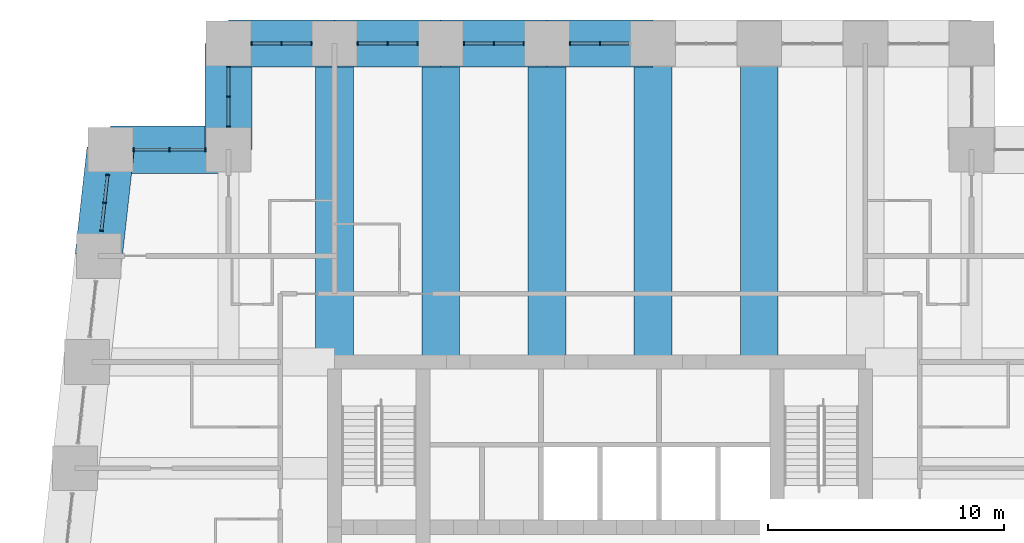
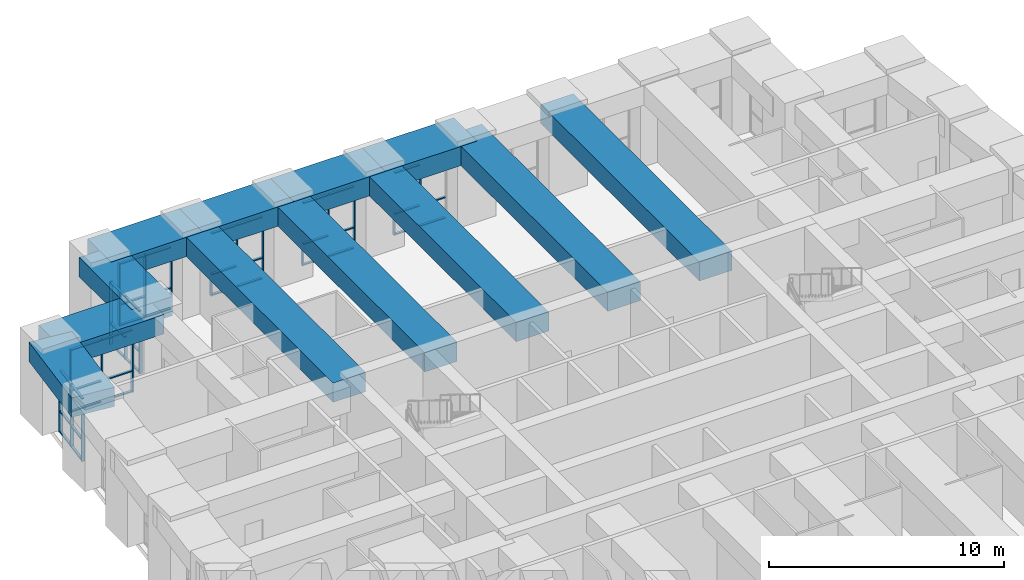
# One storey, part 7 of 16: 61 members, 12 beams, 7 elements without a shape of their own.
"""IFC4 building model written with IfcOpenShell, lengths in metres."""

from ifc_helpers import new_model, si_unit, direction, frame, origin, origin_2d, place, context, subcontext, project, spatial, rectangle, extrude, material, material_profile, profile_set, type_object, element, aggregate, save


model = new_model("IFC4")

# Units and contexts
model_context = context("Model", 3, precision=1e-05, world=origin(), true_north=direction((0.0, 1.0)))
body_context = subcontext(model_context, "Body", "Model", "MODEL_VIEW")
ifc_project = project(units=[si_unit("LENGTHUNIT", "METRE"), si_unit("AREAUNIT", "SQUARE_METRE"), si_unit("VOLUMEUNIT", "CUBIC_METRE"), si_unit("PLANEANGLEUNIT", "RADIAN"), si_unit("MASSUNIT", "GRAM", prefix="KILO")], contexts=[model_context])

# Site, building, storey
site_placement = place(None, origin())
site = spatial("IfcSite", under=ifc_project, at=site_placement, CompositionType="ELEMENT")
building_placement = place(site_placement, origin())
building = spatial("IfcBuilding", under=site, at=building_placement, Name="Kilele Tower Hotel", CompositionType="ELEMENT")
storey_placement = place(building_placement, frame((0.0, 0.0, 157.89990234375)))
storey = spatial("IfcBuildingStorey", under=building, at=storey_placement, Name="L40", CompositionType="ELEMENT", Elevation=157.89990234375)

# Beams
ifc_material_1 = material(Name="Concrete C60/75", Category="concrete")
ifc_material_profile_1 = material_profile(ifc_material_1, rectangle(XDim=1.60009765625, YDim=1.0, at=origin_2d()))
ifc_profile_set_1 = profile_set([ifc_material_profile_1], Name="Concrete C60/75")
beam_type_1 = type_object("IfcBeamType", Name="Beam RC 1600x1000 C60/75", PredefinedType="BEAM", material=ifc_profile_set_1)
for number, where, z_axis, x_axis, name in (
    (1, (31.5, 40.5, 3.75), (0.0, -1.0, 0.0), (1.0, 0.0, 0.0), "Beam BC1 level L41"),
    (2, (27.0, 40.5, 3.75), (0.0, -1.0, 0.0), (1.0, 0.0, 0.0), "Beam BC1 level L41"),
    (3, (22.5, 40.5, 3.75), (0.0, -1.0, 0.0), (1.0, 0.0, 0.0), "Beam BC1 level L41"),
    (4, (18.0, 40.5, 3.75), (0.0, -1.0, 0.0), (1.0, 0.0, 0.0), "Beam BC1 level L41"),
    (5, (13.5, 40.5, 3.75), (0.0, -1.0, 0.0), (1.0, 0.0, 0.0), "Beam BC1 level L41"),
):
    element("IfcBeam", number, at=place(storey_placement, frame(where, z_axis=z_axis, x_axis=x_axis)), inside=storey, type_object=beam_type_1, Name=name, PredefinedType="BEAM", context=body_context, shape_type="SweptSolid", body=[
        extrude(rectangle(XDim=1.60009765625, YDim=1.0, at=origin_2d()), origin(), (0.0, 0.0, 1.0), 13.5),
    ])

# Curtain wall, members
ifc_material_2 = material(Name="Aluminium curtain wall, clear double glazing", Category="aluminium")
curtain_wall_type = type_object("IfcCurtainWallType", Name="Club lounge curtain wall CW-4", PredefinedType="NOTDEFINED", material=ifc_material_2)
curtain_wall_1_placement = place(storey_placement, origin())
curtain_wall_1 = element("IfcCurtainWall", 6, at=curtain_wall_1_placement, inside=storey, type_object=curtain_wall_type, Name="Club lounge curtain wall CW-4 L40", PredefinedType="NOTDEFINED")
ifc_material_3 = material(Name="Aluminium EN AW-6063 T6", Category="aluminium")
ifc_material_profile_2 = material_profile(ifc_material_3, rectangle(XDim=0.159912109375, YDim=0.06005859375, at=origin_2d()))
ifc_profile_set_2 = profile_set([ifc_material_profile_2], Name="Aluminium EN AW-6063 T6")
member_type_1 = type_object("IfcMemberType", Name="Mullion 60x160 CW-4", PredefinedType="MULLION", material=ifc_profile_set_2)
member_1_placement = place(storey_placement, frame((24.75, 40.5, 0.0), z_axis=(0.0, 0.0, 1.0), x_axis=(0.0, -1.0, 0.0)))
member_1 = element("IfcMember", 7, at=member_1_placement, type_object=member_type_1, Name="CW-4 mullion 2", PredefinedType="MULLION", context=body_context, shape_type="SweptSolid", body=[
    extrude(rectangle(XDim=0.159912109375, YDim=0.06005859375, at=origin_2d()), origin(), (0.0, 0.0, 1.0), 3.25),
])
member_2_placement = place(storey_placement, frame((23.47998046875, 40.5, 0.0), z_axis=(0.0, 0.0, 1.0), x_axis=(0.0, -1.0, 0.0)))
member_2 = element("IfcMember", 8, at=member_2_placement, type_object=member_type_1, Name="CW-4 mullion 3", PredefinedType="MULLION", context=body_context, shape_type="SweptSolid", body=[
    extrude(rectangle(XDim=0.159912109375, YDim=0.06005859375, at=origin_2d()), origin(), (0.0, 0.0, 1.0), 3.25),
])

curtain_wall_2_placement = place(storey_placement, origin())
curtain_wall_2 = element("IfcCurtainWall", 9, at=curtain_wall_2_placement, inside=storey, type_object=curtain_wall_type, Name="Club lounge curtain wall CW-4 L40", PredefinedType="NOTDEFINED")
member_3_placement = place(storey_placement, frame((21.52001953125, 40.5, 0.0), z_axis=(0.0, 0.0, 1.0), x_axis=(0.0, -1.0, 0.0)))
member_3 = element("IfcMember", 10, at=member_3_placement, type_object=member_type_1, Name="CW-4 mullion 1", PredefinedType="MULLION", context=body_context, shape_type="SweptSolid", body=[
    extrude(rectangle(XDim=0.159912109375, YDim=0.06005859375, at=origin_2d()), origin(), (0.0, 0.0, 1.0), 3.25),
])
member_4_placement = place(storey_placement, frame((20.25, 40.5, 0.0), z_axis=(0.0, 0.0, 1.0), x_axis=(0.0, -1.0, 0.0)))
member_4 = element("IfcMember", 11, at=member_4_placement, type_object=member_type_1, Name="CW-4 mullion 2", PredefinedType="MULLION", context=body_context, shape_type="SweptSolid", body=[
    extrude(rectangle(XDim=0.159912109375, YDim=0.06005859375, at=origin_2d()), origin(), (0.0, 0.0, 1.0), 3.25),
])
member_5_placement = place(storey_placement, frame((18.97998046875, 40.5, 0.0), z_axis=(0.0, 0.0, 1.0), x_axis=(0.0, -1.0, 0.0)))
member_5 = element("IfcMember", 12, at=member_5_placement, type_object=member_type_1, Name="CW-4 mullion 3", PredefinedType="MULLION", context=body_context, shape_type="SweptSolid", body=[
    extrude(rectangle(XDim=0.159912109375, YDim=0.06005859375, at=origin_2d()), origin(), (0.0, 0.0, 1.0), 3.25),
])

curtain_wall_3_placement = place(storey_placement, origin())
curtain_wall_3 = element("IfcCurtainWall", 13, at=curtain_wall_3_placement, inside=storey, type_object=curtain_wall_type, Name="Club lounge curtain wall CW-4 L40", PredefinedType="NOTDEFINED")
member_6_placement = place(storey_placement, frame((17.02001953125, 40.5, 0.0), z_axis=(0.0, 0.0, 1.0), x_axis=(0.0, -1.0, 0.0)))
member_6 = element("IfcMember", 14, at=member_6_placement, type_object=member_type_1, Name="CW-4 mullion 1", PredefinedType="MULLION", context=body_context, shape_type="SweptSolid", body=[
    extrude(rectangle(XDim=0.159912109375, YDim=0.06005859375, at=origin_2d()), origin(), (0.0, 0.0, 1.0), 3.25),
])
member_7_placement = place(storey_placement, frame((15.75, 40.5, 0.0), z_axis=(0.0, 0.0, 1.0), x_axis=(0.0, -1.0, 0.0)))
member_7 = element("IfcMember", 15, at=member_7_placement, type_object=member_type_1, Name="CW-4 mullion 2", PredefinedType="MULLION", context=body_context, shape_type="SweptSolid", body=[
    extrude(rectangle(XDim=0.159912109375, YDim=0.06005859375, at=origin_2d()), origin(), (0.0, 0.0, 1.0), 3.25),
])
member_8_placement = place(storey_placement, frame((14.47998046875, 40.5, 0.0), z_axis=(0.0, 0.0, 1.0), x_axis=(0.0, -1.0, 0.0)))
member_8 = element("IfcMember", 16, at=member_8_placement, type_object=member_type_1, Name="CW-4 mullion 3", PredefinedType="MULLION", context=body_context, shape_type="SweptSolid", body=[
    extrude(rectangle(XDim=0.159912109375, YDim=0.06005859375, at=origin_2d()), origin(), (0.0, 0.0, 1.0), 3.25),
])

curtain_wall_4_placement = place(storey_placement, origin())
curtain_wall_4 = element("IfcCurtainWall", 17, at=curtain_wall_4_placement, inside=storey, type_object=curtain_wall_type, Name="Club lounge curtain wall CW-4 L40", PredefinedType="NOTDEFINED")
member_9_placement = place(storey_placement, frame((12.52001953125, 40.5, 0.0), z_axis=(0.0, 0.0, 1.0), x_axis=(0.0, -1.0, 0.0)))
member_9 = element("IfcMember", 18, at=member_9_placement, type_object=member_type_1, Name="CW-4 mullion 1", PredefinedType="MULLION", context=body_context, shape_type="SweptSolid", body=[
    extrude(rectangle(XDim=0.159912109375, YDim=0.06005859375, at=origin_2d()), origin(), (0.0, 0.0, 1.0), 3.25),
])
member_10_placement = place(storey_placement, frame((11.25, 40.5, 0.0), z_axis=(0.0, 0.0, 1.0), x_axis=(0.0, -1.0, 0.0)))
member_10 = element("IfcMember", 19, at=member_10_placement, type_object=member_type_1, Name="CW-4 mullion 2", PredefinedType="MULLION", context=body_context, shape_type="SweptSolid", body=[
    extrude(rectangle(XDim=0.159912109375, YDim=0.06005859375, at=origin_2d()), origin(), (0.0, 0.0, 1.0), 3.25),
])
member_11_placement = place(storey_placement, frame((9.97998046875, 40.5, 0.0), z_axis=(0.0, 0.0, 1.0), x_axis=(0.0, -1.0, 0.0)))
member_11 = element("IfcMember", 20, at=member_11_placement, type_object=member_type_1, Name="CW-4 mullion 3", PredefinedType="MULLION", context=body_context, shape_type="SweptSolid", body=[
    extrude(rectangle(XDim=0.159912109375, YDim=0.06005859375, at=origin_2d()), origin(), (0.0, 0.0, 1.0), 3.25),
])

curtain_wall_5_placement = place(storey_placement, origin())
curtain_wall_5 = element("IfcCurtainWall", 21, at=curtain_wall_5_placement, inside=storey, type_object=curtain_wall_type, Name="Club lounge curtain wall CW-4 L40", PredefinedType="NOTDEFINED")
member_12_placement = place(storey_placement, frame((9.0, 39.52001953125, 0.0), z_axis=(0.0, 0.0, 1.0), x_axis=(1.0, 0.0, 0.0)))
member_12 = element("IfcMember", 22, at=member_12_placement, type_object=member_type_1, Name="CW-4 mullion 1", PredefinedType="MULLION", context=body_context, shape_type="SweptSolid", body=[
    extrude(rectangle(XDim=0.159912109375, YDim=0.06005859375, at=origin_2d()), origin(), (0.0, 0.0, 1.0), 3.25),
])
member_13_placement = place(storey_placement, frame((9.0, 38.25, 0.0), z_axis=(0.0, 0.0, 1.0), x_axis=(1.0, 0.0, 0.0)))
member_13 = element("IfcMember", 23, at=member_13_placement, type_object=member_type_1, Name="CW-4 mullion 2", PredefinedType="MULLION", context=body_context, shape_type="SweptSolid", body=[
    extrude(rectangle(XDim=0.159912109375, YDim=0.06005859375, at=origin_2d()), origin(), (0.0, 0.0, 1.0), 3.25),
])
member_14_placement = place(storey_placement, frame((9.0, 36.97998046875, 0.0), z_axis=(0.0, 0.0, 1.0), x_axis=(1.0, 0.0, 0.0)))
member_14 = element("IfcMember", 24, at=member_14_placement, type_object=member_type_1, Name="CW-4 mullion 3", PredefinedType="MULLION", context=body_context, shape_type="SweptSolid", body=[
    extrude(rectangle(XDim=0.159912109375, YDim=0.06005859375, at=origin_2d()), origin(), (0.0, 0.0, 1.0), 3.25),
])

curtain_wall_6_placement = place(storey_placement, origin())
curtain_wall_6 = element("IfcCurtainWall", 25, at=curtain_wall_6_placement, inside=storey, type_object=curtain_wall_type, Name="Club lounge curtain wall CW-4 L40", PredefinedType="NOTDEFINED")
member_15_placement = place(storey_placement, frame((8.02001953125, 36.0, 0.0), z_axis=(0.0, 0.0, 1.0), x_axis=(0.0, -1.0, 0.0)))
member_15 = element("IfcMember", 26, at=member_15_placement, type_object=member_type_1, Name="CW-4 mullion 1", PredefinedType="MULLION", context=body_context, shape_type="SweptSolid", body=[
    extrude(rectangle(XDim=0.159912109375, YDim=0.06005859375, at=origin_2d()), origin(), (0.0, 0.0, 1.0), 3.25),
])
member_16_placement = place(storey_placement, frame((6.5, 36.0, 0.0), z_axis=(0.0, 0.0, 1.0), x_axis=(0.0, -1.0, 0.0)))
member_16 = element("IfcMember", 27, at=member_16_placement, type_object=member_type_1, Name="CW-4 mullion 2", PredefinedType="MULLION", context=body_context, shape_type="SweptSolid", body=[
    extrude(rectangle(XDim=0.159912109375, YDim=0.06005859375, at=origin_2d()), origin(), (0.0, 0.0, 1.0), 3.25),
])
member_17_placement = place(storey_placement, frame((4.97998046875, 36.0, 0.0), z_axis=(0.0, 0.0, 1.0), x_axis=(0.0, -1.0, 0.0)))
member_17 = element("IfcMember", 28, at=member_17_placement, type_object=member_type_1, Name="CW-4 mullion 3", PredefinedType="MULLION", context=body_context, shape_type="SweptSolid", body=[
    extrude(rectangle(XDim=0.159912109375, YDim=0.06005859375, at=origin_2d()), origin(), (0.0, 0.0, 1.0), 3.25),
])

curtain_wall_7_placement = place(storey_placement, origin())
curtain_wall_7 = element("IfcCurtainWall", 29, at=curtain_wall_7_placement, inside=storey, type_object=curtain_wall_type, Name="Club lounge curtain wall CW-4 L40", PredefinedType="NOTDEFINED")
member_18_placement = place(storey_placement, frame((3.880859375, 34.927490234375, 0.0), z_axis=(0.0, 0.0, 1.0), x_axis=(0.993883734714, -0.110431525712, 0.0)))
member_18 = element("IfcMember", 30, at=member_18_placement, type_object=member_type_1, Name="CW-4 mullion 1", PredefinedType="MULLION", context=body_context, shape_type="SweptSolid", body=[
    extrude(rectangle(XDim=0.159912109375, YDim=0.06005859375, at=origin_2d()), origin(), (0.0, 0.0, 1.0), 3.25),
])
member_19_placement = place(storey_placement, frame((3.75, 33.75, 0.0), z_axis=(0.0, 0.0, 1.0), x_axis=(0.993883734714, -0.110431525712, 0.0)))
member_19 = element("IfcMember", 31, at=member_19_placement, type_object=member_type_1, Name="CW-4 mullion 2", PredefinedType="MULLION", context=body_context, shape_type="SweptSolid", body=[
    extrude(rectangle(XDim=0.159912109375, YDim=0.06005859375, at=origin_2d()), origin(), (0.0, 0.0, 1.0), 3.25),
])
member_20_placement = place(storey_placement, frame((3.619140625, 32.572509765625, 0.0), z_axis=(0.0, 0.0, 1.0), x_axis=(0.993883734714, -0.110431525712, 0.0)))
member_20 = element("IfcMember", 32, at=member_20_placement, type_object=member_type_1, Name="CW-4 mullion 3", PredefinedType="MULLION", context=body_context, shape_type="SweptSolid", body=[
    extrude(rectangle(XDim=0.159912109375, YDim=0.06005859375, at=origin_2d()), origin(), (0.0, 0.0, 1.0), 3.25),
])

# Beams
ifc_material_4 = material(Name="Concrete C60/75", Category="concrete")
ifc_material_profile_3 = material_profile(ifc_material_4, rectangle(XDim=2.0, YDim=1.0, at=origin_2d()))
ifc_profile_set_3 = profile_set([ifc_material_profile_3], Name="Concrete C60/75")
beam_type_2 = type_object("IfcBeamType", Name="Spandrel RC 2000x1000 C60/75", PredefinedType="SPANDREL", material=ifc_profile_set_3)
for number, where, z_axis, x_axis, name in (
    (33, (27.0, 40.5, 3.75), (-1.0, 0.0, 0.0), (0.0, -1.0, 0.0), "Spandrel SP3 level L41"),
    (34, (22.5, 40.5, 3.75), (-1.0, 0.0, 0.0), (0.0, -1.0, 0.0), "Spandrel SP3 level L41"),
    (35, (18.0, 40.5, 3.75), (-1.0, 0.0, 0.0), (0.0, -1.0, 0.0), "Spandrel SP3 level L41"),
    (36, (13.5, 40.5, 3.75), (-1.0, 0.0, 0.0), (0.0, -1.0, 0.0), "Spandrel SP3 level L41"),
    (37, (9.0, 40.5, 3.75), (0.0, -1.0, 0.0), (1.0, 0.0, 0.0), "Spandrel SP3 level L41"),
):
    element("IfcBeam", number, at=place(storey_placement, frame(where, z_axis=z_axis, x_axis=x_axis)), inside=storey, type_object=beam_type_2, Name=name, PredefinedType="SPANDREL", context=body_context, shape_type="SweptSolid", body=[
        extrude(rectangle(XDim=2.0, YDim=1.0, at=origin_2d()), origin(), (0.0, 0.0, 1.0), 4.5),
    ])
beam_1_placement = place(storey_placement, frame((9.0, 36.0, 3.75), z_axis=(-1.0, 0.0, 0.0), x_axis=(0.0, -1.0, 0.0)))
element("IfcBeam", 38, at=beam_1_placement, inside=storey, type_object=beam_type_2, Name="Spandrel SP3 level L41", PredefinedType="SPANDREL", context=body_context, shape_type="SweptSolid", body=[
    extrude(rectangle(XDim=2.0, YDim=1.0, at=origin_2d()), origin(), (0.0, 0.0, 1.0), 5.0),
])
beam_2_placement = place(storey_placement, frame((4.0, 36.0, 3.75), z_axis=(-0.110431526075, -0.993883734674, 0.0), x_axis=(0.993883734674, -0.110431526075, 0.0)))
element("IfcBeam", 39, at=beam_2_placement, inside=storey, type_object=beam_type_2, Name="Spandrel SP3 level L41", PredefinedType="SPANDREL", context=body_context, shape_type="SweptSolid", body=[
    extrude(rectangle(XDim=2.0, YDim=1.0, at=origin_2d()), origin(), (0.0, 0.0, 1.0), 4.527587890625),
])

# Member
ifc_material_5 = material(Name="Aluminium EN AW-6063 T6", Category="aluminium")
ifc_material_profile_4 = material_profile(ifc_material_5, rectangle(XDim=0.1201171875, YDim=0.06005859375, at=origin_2d()))
ifc_profile_set_4 = profile_set([ifc_material_profile_4], Name="Aluminium EN AW-6063 T6")
member_type_2 = type_object("IfcMemberType", Name="Transom 60x120 CW-4", PredefinedType="USERDEFINED", material=ifc_profile_set_4)
member_21_placement = place(storey_placement, frame((25.989990234375, 40.5, 0.030029296875), z_axis=(-1.0, 0.0, 0.0), x_axis=(0.0, -1.0, 0.0)))
member_21 = element("IfcMember", 40, at=member_21_placement, type_object=member_type_2, Name="CW-4 transom 1.1", ObjectType="TRANSOM", PredefinedType="USERDEFINED", context=body_context, shape_type="SweptSolid", body=[
    extrude(rectangle(XDim=0.1201171875, YDim=0.06005859375, at=origin_2d()), origin(), (0.0, 0.0, 1.0), 1.2099609375),
])

member_22_placement = place(storey_placement, frame((25.989990234375, 40.5, 1.10009765625), z_axis=(-1.0, 0.0, 0.0), x_axis=(0.0, -1.0, 0.0)))
member_22 = element("IfcMember", 41, at=member_22_placement, type_object=member_type_2, Name="CW-4 transom 1.2", ObjectType="TRANSOM", PredefinedType="USERDEFINED", context=body_context, shape_type="SweptSolid", body=[
    extrude(rectangle(XDim=0.1201171875, YDim=0.06005859375, at=origin_2d()), origin(), (0.0, 0.0, 1.0), 1.2099609375),
])

member_23_placement = place(storey_placement, frame((24.719970703125, 40.5, 0.030029296875), z_axis=(-1.0, 0.0, 0.0), x_axis=(0.0, -1.0, 0.0)))
member_23 = element("IfcMember", 42, at=member_23_placement, type_object=member_type_2, Name="CW-4 transom 2.1", ObjectType="TRANSOM", PredefinedType="USERDEFINED", context=body_context, shape_type="SweptSolid", body=[
    extrude(rectangle(XDim=0.1201171875, YDim=0.06005859375, at=origin_2d()), origin(), (0.0, 0.0, 1.0), 1.2099609375),
])

member_24_placement = place(storey_placement, frame((24.719970703125, 40.5, 1.10009765625), z_axis=(-1.0, 0.0, 0.0), x_axis=(0.0, -1.0, 0.0)))
member_24 = element("IfcMember", 43, at=member_24_placement, type_object=member_type_2, Name="CW-4 transom 2.2", ObjectType="TRANSOM", PredefinedType="USERDEFINED", context=body_context, shape_type="SweptSolid", body=[
    extrude(rectangle(XDim=0.1201171875, YDim=0.06005859375, at=origin_2d()), origin(), (0.0, 0.0, 1.0), 1.2099609375),
])

member_25_placement = place(storey_placement, frame((24.719970703125, 40.5, 3.22021484375), z_axis=(-1.0, 0.0, 0.0), x_axis=(0.0, -1.0, 0.0)))
member_25 = element("IfcMember", 44, at=member_25_placement, type_object=member_type_2, Name="CW-4 transom 2.3", ObjectType="TRANSOM", PredefinedType="USERDEFINED", context=body_context, shape_type="SweptSolid", body=[
    extrude(rectangle(XDim=0.1201171875, YDim=0.06005859375, at=origin_2d()), origin(), (0.0, 0.0, 1.0), 1.2099609375),
])

aggregate(curtain_wall_1, [member_1, member_2, member_21, member_22, member_23, member_24, member_25])

member_26_placement = place(storey_placement, frame((21.489990234375, 40.5, 0.030029296875), z_axis=(-1.0, 0.0, 0.0), x_axis=(0.0, -1.0, 0.0)))
member_26 = element("IfcMember", 45, at=member_26_placement, type_object=member_type_2, Name="CW-4 transom 1.1", ObjectType="TRANSOM", PredefinedType="USERDEFINED", context=body_context, shape_type="SweptSolid", body=[
    extrude(rectangle(XDim=0.1201171875, YDim=0.06005859375, at=origin_2d()), origin(), (0.0, 0.0, 1.0), 1.2099609375),
])

member_27_placement = place(storey_placement, frame((21.489990234375, 40.5, 1.10009765625), z_axis=(-1.0, 0.0, 0.0), x_axis=(0.0, -1.0, 0.0)))
member_27 = element("IfcMember", 46, at=member_27_placement, type_object=member_type_2, Name="CW-4 transom 1.2", ObjectType="TRANSOM", PredefinedType="USERDEFINED", context=body_context, shape_type="SweptSolid", body=[
    extrude(rectangle(XDim=0.1201171875, YDim=0.06005859375, at=origin_2d()), origin(), (0.0, 0.0, 1.0), 1.2099609375),
])

member_28_placement = place(storey_placement, frame((21.489990234375, 40.5, 3.22021484375), z_axis=(-1.0, 0.0, 0.0), x_axis=(0.0, -1.0, 0.0)))
member_28 = element("IfcMember", 47, at=member_28_placement, type_object=member_type_2, Name="CW-4 transom 1.3", ObjectType="TRANSOM", PredefinedType="USERDEFINED", context=body_context, shape_type="SweptSolid", body=[
    extrude(rectangle(XDim=0.1201171875, YDim=0.06005859375, at=origin_2d()), origin(), (0.0, 0.0, 1.0), 1.2099609375),
])

member_29_placement = place(storey_placement, frame((20.219970703125, 40.5, 0.030029296875), z_axis=(-1.0, 0.0, 0.0), x_axis=(0.0, -1.0, 0.0)))
member_29 = element("IfcMember", 48, at=member_29_placement, type_object=member_type_2, Name="CW-4 transom 2.1", ObjectType="TRANSOM", PredefinedType="USERDEFINED", context=body_context, shape_type="SweptSolid", body=[
    extrude(rectangle(XDim=0.1201171875, YDim=0.06005859375, at=origin_2d()), origin(), (0.0, 0.0, 1.0), 1.2099609375),
])

member_30_placement = place(storey_placement, frame((20.219970703125, 40.5, 1.10009765625), z_axis=(-1.0, 0.0, 0.0), x_axis=(0.0, -1.0, 0.0)))
member_30 = element("IfcMember", 49, at=member_30_placement, type_object=member_type_2, Name="CW-4 transom 2.2", ObjectType="TRANSOM", PredefinedType="USERDEFINED", context=body_context, shape_type="SweptSolid", body=[
    extrude(rectangle(XDim=0.1201171875, YDim=0.06005859375, at=origin_2d()), origin(), (0.0, 0.0, 1.0), 1.2099609375),
])

member_31_placement = place(storey_placement, frame((20.219970703125, 40.5, 3.22021484375), z_axis=(-1.0, 0.0, 0.0), x_axis=(0.0, -1.0, 0.0)))
member_31 = element("IfcMember", 50, at=member_31_placement, type_object=member_type_2, Name="CW-4 transom 2.3", ObjectType="TRANSOM", PredefinedType="USERDEFINED", context=body_context, shape_type="SweptSolid", body=[
    extrude(rectangle(XDim=0.1201171875, YDim=0.06005859375, at=origin_2d()), origin(), (0.0, 0.0, 1.0), 1.2099609375),
])

aggregate(curtain_wall_2, [member_3, member_4, member_5, member_26, member_27, member_28, member_29, member_30, member_31])

member_32_placement = place(storey_placement, frame((16.989990234375, 40.5, 0.030029296875), z_axis=(-1.0, 0.0, 0.0), x_axis=(0.0, -1.0, 0.0)))
member_32 = element("IfcMember", 51, at=member_32_placement, type_object=member_type_2, Name="CW-4 transom 1.1", ObjectType="TRANSOM", PredefinedType="USERDEFINED", context=body_context, shape_type="SweptSolid", body=[
    extrude(rectangle(XDim=0.1201171875, YDim=0.06005859375, at=origin_2d()), origin(), (0.0, 0.0, 1.0), 1.2099609375),
])

member_33_placement = place(storey_placement, frame((16.989990234375, 40.5, 1.10009765625), z_axis=(-1.0, 0.0, 0.0), x_axis=(0.0, -1.0, 0.0)))
member_33 = element("IfcMember", 52, at=member_33_placement, type_object=member_type_2, Name="CW-4 transom 1.2", ObjectType="TRANSOM", PredefinedType="USERDEFINED", context=body_context, shape_type="SweptSolid", body=[
    extrude(rectangle(XDim=0.1201171875, YDim=0.06005859375, at=origin_2d()), origin(), (0.0, 0.0, 1.0), 1.2099609375),
])

member_34_placement = place(storey_placement, frame((16.989990234375, 40.5, 3.22021484375), z_axis=(-1.0, 0.0, 0.0), x_axis=(0.0, -1.0, 0.0)))
member_34 = element("IfcMember", 53, at=member_34_placement, type_object=member_type_2, Name="CW-4 transom 1.3", ObjectType="TRANSOM", PredefinedType="USERDEFINED", context=body_context, shape_type="SweptSolid", body=[
    extrude(rectangle(XDim=0.1201171875, YDim=0.06005859375, at=origin_2d()), origin(), (0.0, 0.0, 1.0), 1.2099609375),
])

member_35_placement = place(storey_placement, frame((15.719970703125, 40.5, 0.030029296875), z_axis=(-1.0, 0.0, 0.0), x_axis=(0.0, -1.0, 0.0)))
member_35 = element("IfcMember", 54, at=member_35_placement, type_object=member_type_2, Name="CW-4 transom 2.1", ObjectType="TRANSOM", PredefinedType="USERDEFINED", context=body_context, shape_type="SweptSolid", body=[
    extrude(rectangle(XDim=0.1201171875, YDim=0.06005859375, at=origin_2d()), origin(), (0.0, 0.0, 1.0), 1.2099609375),
])

member_36_placement = place(storey_placement, frame((15.719970703125, 40.5, 1.10009765625), z_axis=(-1.0, 0.0, 0.0), x_axis=(0.0, -1.0, 0.0)))
member_36 = element("IfcMember", 55, at=member_36_placement, type_object=member_type_2, Name="CW-4 transom 2.2", ObjectType="TRANSOM", PredefinedType="USERDEFINED", context=body_context, shape_type="SweptSolid", body=[
    extrude(rectangle(XDim=0.1201171875, YDim=0.06005859375, at=origin_2d()), origin(), (0.0, 0.0, 1.0), 1.2099609375),
])

member_37_placement = place(storey_placement, frame((15.719970703125, 40.5, 3.22021484375), z_axis=(-1.0, 0.0, 0.0), x_axis=(0.0, -1.0, 0.0)))
member_37 = element("IfcMember", 56, at=member_37_placement, type_object=member_type_2, Name="CW-4 transom 2.3", ObjectType="TRANSOM", PredefinedType="USERDEFINED", context=body_context, shape_type="SweptSolid", body=[
    extrude(rectangle(XDim=0.1201171875, YDim=0.06005859375, at=origin_2d()), origin(), (0.0, 0.0, 1.0), 1.2099609375),
])

aggregate(curtain_wall_3, [member_6, member_7, member_8, member_32, member_33, member_34, member_35, member_36, member_37])

member_38_placement = place(storey_placement, frame((12.489990234375, 40.5, 0.030029296875), z_axis=(-1.0, 0.0, 0.0), x_axis=(0.0, -1.0, 0.0)))
member_38 = element("IfcMember", 57, at=member_38_placement, type_object=member_type_2, Name="CW-4 transom 1.1", ObjectType="TRANSOM", PredefinedType="USERDEFINED", context=body_context, shape_type="SweptSolid", body=[
    extrude(rectangle(XDim=0.1201171875, YDim=0.06005859375, at=origin_2d()), origin(), (0.0, 0.0, 1.0), 1.2099609375),
])

member_39_placement = place(storey_placement, frame((12.489990234375, 40.5, 1.10009765625), z_axis=(-1.0, 0.0, 0.0), x_axis=(0.0, -1.0, 0.0)))
member_39 = element("IfcMember", 58, at=member_39_placement, type_object=member_type_2, Name="CW-4 transom 1.2", ObjectType="TRANSOM", PredefinedType="USERDEFINED", context=body_context, shape_type="SweptSolid", body=[
    extrude(rectangle(XDim=0.1201171875, YDim=0.06005859375, at=origin_2d()), origin(), (0.0, 0.0, 1.0), 1.2099609375),
])

member_40_placement = place(storey_placement, frame((12.489990234375, 40.5, 3.22021484375), z_axis=(-1.0, 0.0, 0.0), x_axis=(0.0, -1.0, 0.0)))
member_40 = element("IfcMember", 59, at=member_40_placement, type_object=member_type_2, Name="CW-4 transom 1.3", ObjectType="TRANSOM", PredefinedType="USERDEFINED", context=body_context, shape_type="SweptSolid", body=[
    extrude(rectangle(XDim=0.1201171875, YDim=0.06005859375, at=origin_2d()), origin(), (0.0, 0.0, 1.0), 1.2099609375),
])

member_41_placement = place(storey_placement, frame((11.219970703125, 40.5, 0.030029296875), z_axis=(-1.0, 0.0, 0.0), x_axis=(0.0, -1.0, 0.0)))
member_41 = element("IfcMember", 60, at=member_41_placement, type_object=member_type_2, Name="CW-4 transom 2.1", ObjectType="TRANSOM", PredefinedType="USERDEFINED", context=body_context, shape_type="SweptSolid", body=[
    extrude(rectangle(XDim=0.1201171875, YDim=0.06005859375, at=origin_2d()), origin(), (0.0, 0.0, 1.0), 1.2099609375),
])

member_42_placement = place(storey_placement, frame((11.219970703125, 40.5, 1.10009765625), z_axis=(-1.0, 0.0, 0.0), x_axis=(0.0, -1.0, 0.0)))
member_42 = element("IfcMember", 61, at=member_42_placement, type_object=member_type_2, Name="CW-4 transom 2.2", ObjectType="TRANSOM", PredefinedType="USERDEFINED", context=body_context, shape_type="SweptSolid", body=[
    extrude(rectangle(XDim=0.1201171875, YDim=0.06005859375, at=origin_2d()), origin(), (0.0, 0.0, 1.0), 1.2099609375),
])

member_43_placement = place(storey_placement, frame((11.219970703125, 40.5, 3.22021484375), z_axis=(-1.0, 0.0, 0.0), x_axis=(0.0, -1.0, 0.0)))
member_43 = element("IfcMember", 62, at=member_43_placement, type_object=member_type_2, Name="CW-4 transom 2.3", ObjectType="TRANSOM", PredefinedType="USERDEFINED", context=body_context, shape_type="SweptSolid", body=[
    extrude(rectangle(XDim=0.1201171875, YDim=0.06005859375, at=origin_2d()), origin(), (0.0, 0.0, 1.0), 1.2099609375),
])

aggregate(curtain_wall_4, [member_9, member_10, member_11, member_38, member_39, member_40, member_41, member_42, member_43])

member_44_placement = place(storey_placement, frame((9.0, 39.489990234375, 0.030029296875), z_axis=(0.0, -1.0, 0.0), x_axis=(1.0, 0.0, 0.0)))
member_44 = element("IfcMember", 63, at=member_44_placement, type_object=member_type_2, Name="CW-4 transom 1.1", ObjectType="TRANSOM", PredefinedType="USERDEFINED", context=body_context, shape_type="SweptSolid", body=[
    extrude(rectangle(XDim=0.1201171875, YDim=0.06005859375, at=origin_2d()), origin(), (0.0, 0.0, 1.0), 1.2099609375),
])

member_45_placement = place(storey_placement, frame((9.0, 39.489990234375, 1.10009765625), z_axis=(0.0, -1.0, 0.0), x_axis=(1.0, 0.0, 0.0)))
member_45 = element("IfcMember", 64, at=member_45_placement, type_object=member_type_2, Name="CW-4 transom 1.2", ObjectType="TRANSOM", PredefinedType="USERDEFINED", context=body_context, shape_type="SweptSolid", body=[
    extrude(rectangle(XDim=0.1201171875, YDim=0.06005859375, at=origin_2d()), origin(), (0.0, 0.0, 1.0), 1.2099609375),
])

member_46_placement = place(storey_placement, frame((9.0, 39.489990234375, 3.22021484375), z_axis=(0.0, -1.0, 0.0), x_axis=(1.0, 0.0, 0.0)))
member_46 = element("IfcMember", 65, at=member_46_placement, type_object=member_type_2, Name="CW-4 transom 1.3", ObjectType="TRANSOM", PredefinedType="USERDEFINED", context=body_context, shape_type="SweptSolid", body=[
    extrude(rectangle(XDim=0.1201171875, YDim=0.06005859375, at=origin_2d()), origin(), (0.0, 0.0, 1.0), 1.2099609375),
])

member_47_placement = place(storey_placement, frame((9.0, 38.219970703125, 0.030029296875), z_axis=(0.0, -1.0, 0.0), x_axis=(1.0, 0.0, 0.0)))
member_47 = element("IfcMember", 66, at=member_47_placement, type_object=member_type_2, Name="CW-4 transom 2.1", ObjectType="TRANSOM", PredefinedType="USERDEFINED", context=body_context, shape_type="SweptSolid", body=[
    extrude(rectangle(XDim=0.1201171875, YDim=0.06005859375, at=origin_2d()), origin(), (0.0, 0.0, 1.0), 1.2099609375),
])

member_48_placement = place(storey_placement, frame((9.0, 38.219970703125, 1.10009765625), z_axis=(0.0, -1.0, 0.0), x_axis=(1.0, 0.0, 0.0)))
member_48 = element("IfcMember", 67, at=member_48_placement, type_object=member_type_2, Name="CW-4 transom 2.2", ObjectType="TRANSOM", PredefinedType="USERDEFINED", context=body_context, shape_type="SweptSolid", body=[
    extrude(rectangle(XDim=0.1201171875, YDim=0.06005859375, at=origin_2d()), origin(), (0.0, 0.0, 1.0), 1.2099609375),
])

member_49_placement = place(storey_placement, frame((9.0, 38.219970703125, 3.22021484375), z_axis=(0.0, -1.0, 0.0), x_axis=(1.0, 0.0, 0.0)))
member_49 = element("IfcMember", 68, at=member_49_placement, type_object=member_type_2, Name="CW-4 transom 2.3", ObjectType="TRANSOM", PredefinedType="USERDEFINED", context=body_context, shape_type="SweptSolid", body=[
    extrude(rectangle(XDim=0.1201171875, YDim=0.06005859375, at=origin_2d()), origin(), (0.0, 0.0, 1.0), 1.2099609375),
])

aggregate(curtain_wall_5, [member_12, member_13, member_14, member_44, member_45, member_46, member_47, member_48, member_49])

member_50_placement = place(storey_placement, frame((7.989990234375, 36.0, 0.030029296875), z_axis=(-1.0, 0.0, 0.0), x_axis=(0.0, -1.0, 0.0)))
member_50 = element("IfcMember", 69, at=member_50_placement, type_object=member_type_2, Name="CW-4 transom 1.1", ObjectType="TRANSOM", PredefinedType="USERDEFINED", context=body_context, shape_type="SweptSolid", body=[
    extrude(rectangle(XDim=0.1201171875, YDim=0.06005859375, at=origin_2d()), origin(), (0.0, 0.0, 1.0), 1.4599609375),
])

member_51_placement = place(storey_placement, frame((7.989990234375, 36.0, 1.10009765625), z_axis=(-1.0, 0.0, 0.0), x_axis=(0.0, -1.0, 0.0)))
member_51 = element("IfcMember", 70, at=member_51_placement, type_object=member_type_2, Name="CW-4 transom 1.2", ObjectType="TRANSOM", PredefinedType="USERDEFINED", context=body_context, shape_type="SweptSolid", body=[
    extrude(rectangle(XDim=0.1201171875, YDim=0.06005859375, at=origin_2d()), origin(), (0.0, 0.0, 1.0), 1.4599609375),
])

member_52_placement = place(storey_placement, frame((7.989990234375, 36.0, 3.22021484375), z_axis=(-1.0, 0.0, 0.0), x_axis=(0.0, -1.0, 0.0)))
member_52 = element("IfcMember", 71, at=member_52_placement, type_object=member_type_2, Name="CW-4 transom 1.3", ObjectType="TRANSOM", PredefinedType="USERDEFINED", context=body_context, shape_type="SweptSolid", body=[
    extrude(rectangle(XDim=0.1201171875, YDim=0.06005859375, at=origin_2d()), origin(), (0.0, 0.0, 1.0), 1.4599609375),
])

member_53_placement = place(storey_placement, frame((6.469970703125, 36.0, 0.030029296875), z_axis=(-1.0, 0.0, 0.0), x_axis=(0.0, -1.0, 0.0)))
member_53 = element("IfcMember", 72, at=member_53_placement, type_object=member_type_2, Name="CW-4 transom 2.1", ObjectType="TRANSOM", PredefinedType="USERDEFINED", context=body_context, shape_type="SweptSolid", body=[
    extrude(rectangle(XDim=0.1201171875, YDim=0.06005859375, at=origin_2d()), origin(), (0.0, 0.0, 1.0), 1.4599609375),
])

member_54_placement = place(storey_placement, frame((6.469970703125, 36.0, 1.10009765625), z_axis=(-1.0, 0.0, 0.0), x_axis=(0.0, -1.0, 0.0)))
member_54 = element("IfcMember", 73, at=member_54_placement, type_object=member_type_2, Name="CW-4 transom 2.2", ObjectType="TRANSOM", PredefinedType="USERDEFINED", context=body_context, shape_type="SweptSolid", body=[
    extrude(rectangle(XDim=0.1201171875, YDim=0.06005859375, at=origin_2d()), origin(), (0.0, 0.0, 1.0), 1.4599609375),
])

member_55_placement = place(storey_placement, frame((6.469970703125, 36.0, 3.22021484375), z_axis=(-1.0, 0.0, 0.0), x_axis=(0.0, -1.0, 0.0)))
member_55 = element("IfcMember", 74, at=member_55_placement, type_object=member_type_2, Name="CW-4 transom 2.3", ObjectType="TRANSOM", PredefinedType="USERDEFINED", context=body_context, shape_type="SweptSolid", body=[
    extrude(rectangle(XDim=0.1201171875, YDim=0.06005859375, at=origin_2d()), origin(), (0.0, 0.0, 1.0), 1.4599609375),
])

aggregate(curtain_wall_6, [member_15, member_16, member_17, member_50, member_51, member_52, member_53, member_54, member_55])

member_56_placement = place(storey_placement, frame((3.87744140625, 34.897705078125, 0.030029296875), z_axis=(-0.11026476151, -0.993902249907, 0.0), x_axis=(0.993902249907, -0.11026476151, 0.0)))
member_56 = element("IfcMember", 75, at=member_56_placement, type_object=member_type_2, Name="CW-4 transom 1.1", ObjectType="TRANSOM", PredefinedType="USERDEFINED", context=body_context, shape_type="SweptSolid", body=[
    extrude(rectangle(XDim=0.1201171875, YDim=0.06005859375, at=origin_2d()), origin(), (0.0, 0.0, 1.0), 1.124755859375),
])

member_57_placement = place(storey_placement, frame((3.87744140625, 34.897705078125, 1.10009765625), z_axis=(-0.11026476151, -0.993902249907, 0.0), x_axis=(0.993902249907, -0.11026476151, 0.0)))
member_57 = element("IfcMember", 76, at=member_57_placement, type_object=member_type_2, Name="CW-4 transom 1.2", ObjectType="TRANSOM", PredefinedType="USERDEFINED", context=body_context, shape_type="SweptSolid", body=[
    extrude(rectangle(XDim=0.1201171875, YDim=0.06005859375, at=origin_2d()), origin(), (0.0, 0.0, 1.0), 1.124755859375),
])

member_58_placement = place(storey_placement, frame((3.87744140625, 34.897705078125, 3.22021484375), z_axis=(-0.11026476151, -0.993902249907, 0.0), x_axis=(0.993902249907, -0.11026476151, 0.0)))
member_58 = element("IfcMember", 77, at=member_58_placement, type_object=member_type_2, Name="CW-4 transom 1.3", ObjectType="TRANSOM", PredefinedType="USERDEFINED", context=body_context, shape_type="SweptSolid", body=[
    extrude(rectangle(XDim=0.1201171875, YDim=0.06005859375, at=origin_2d()), origin(), (0.0, 0.0, 1.0), 1.124755859375),
])

member_59_placement = place(storey_placement, frame((3.74658203125, 33.72021484375, 0.030029296875), z_axis=(-0.11026476151, -0.993902249907, 0.0), x_axis=(0.993902249907, -0.11026476151, 0.0)))
member_59 = element("IfcMember", 78, at=member_59_placement, type_object=member_type_2, Name="CW-4 transom 2.1", ObjectType="TRANSOM", PredefinedType="USERDEFINED", context=body_context, shape_type="SweptSolid", body=[
    extrude(rectangle(XDim=0.1201171875, YDim=0.06005859375, at=origin_2d()), origin(), (0.0, 0.0, 1.0), 1.124755859375),
])

member_60_placement = place(storey_placement, frame((3.74658203125, 33.72021484375, 1.10009765625), z_axis=(-0.11026476151, -0.993902249907, 0.0), x_axis=(0.993902249907, -0.11026476151, 0.0)))
member_60 = element("IfcMember", 79, at=member_60_placement, type_object=member_type_2, Name="CW-4 transom 2.2", ObjectType="TRANSOM", PredefinedType="USERDEFINED", context=body_context, shape_type="SweptSolid", body=[
    extrude(rectangle(XDim=0.1201171875, YDim=0.06005859375, at=origin_2d()), origin(), (0.0, 0.0, 1.0), 1.124755859375),
])

member_61_placement = place(storey_placement, frame((3.74658203125, 33.72021484375, 3.22021484375), z_axis=(-0.11026476151, -0.993902249907, 0.0), x_axis=(0.993902249907, -0.11026476151, 0.0)))
member_61 = element("IfcMember", 80, at=member_61_placement, type_object=member_type_2, Name="CW-4 transom 2.3", ObjectType="TRANSOM", PredefinedType="USERDEFINED", context=body_context, shape_type="SweptSolid", body=[
    extrude(rectangle(XDim=0.1201171875, YDim=0.06005859375, at=origin_2d()), origin(), (0.0, 0.0, 1.0), 1.124755859375),
])

aggregate(curtain_wall_7, [member_18, member_19, member_20, member_56, member_57, member_58, member_59, member_60, member_61])

save(model, "model.ifc")
